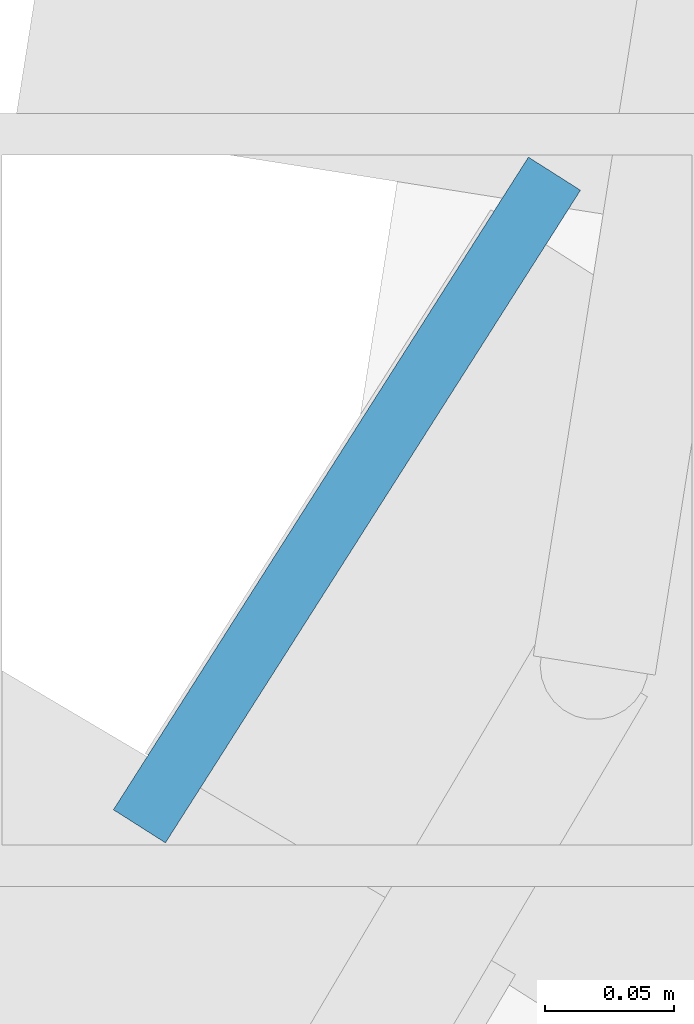
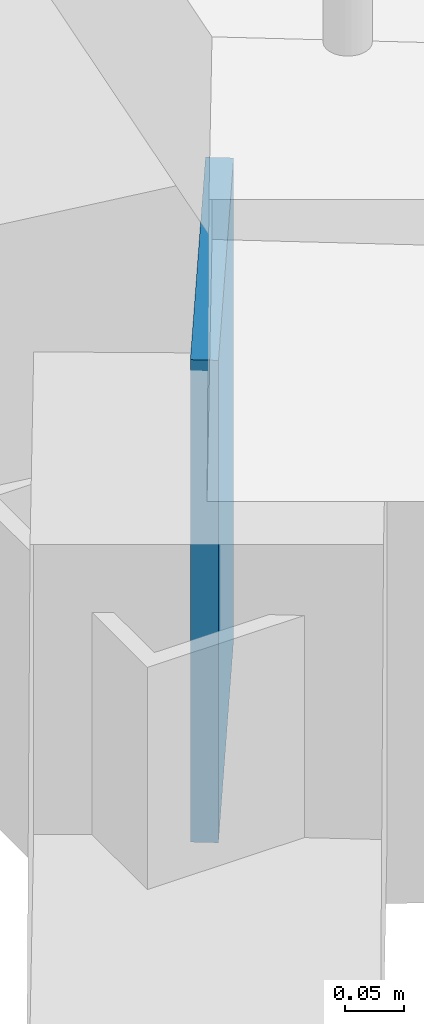
# One storey, part 46 of 77: 1 plate.
"""IFC4 building model written with IfcOpenShell, lengths in metres."""

from ifc_helpers import new_model, si_unit, direction, frame, origin, origin_2d, place, context, subcontext, project, spatial, rectangle, extrude, material, layer, layer_set, type_object, element, save


model = new_model("IFC4")

# Units and contexts
model_context = context("Model", 3, precision=1e-05, world=origin(), true_north=direction((0.0, 1.0)))
body_context = subcontext(model_context, "Body", "Model", "MODEL_VIEW")
ifc_project = project(units=[si_unit("LENGTHUNIT", "METRE"), si_unit("AREAUNIT", "SQUARE_METRE"), si_unit("VOLUMEUNIT", "CUBIC_METRE"), si_unit("PLANEANGLEUNIT", "RADIAN"), si_unit("MASSUNIT", "GRAM", prefix="KILO")], contexts=[model_context])

# Site, building, storey
site_placement = place(None, origin())
site = spatial("IfcSite", under=ifc_project, at=site_placement, CompositionType="ELEMENT")
building_placement = place(site_placement, origin())
building = spatial("IfcBuilding", under=site, at=building_placement, Name="Luwafu Chhajja Arena", CompositionType="ELEMENT")
storey_placement = place(building_placement, frame((0.0, 0.0, 14.699951171875)))
storey = spatial("IfcBuildingStorey", under=building, at=storey_placement, Name="L03", CompositionType="ELEMENT", Elevation=14.699951171875)

# Plate
ifc_material = material(Name="Steel S355", Category="steel")
ifc_layer = layer(ifc_material, 0.02392578125, Name="Steel S355")
ifc_layer_set = layer_set([ifc_layer], Name="Steel S355")
plate_type = type_object("IfcPlateType", Name="Raker Hollow End Closure Plate FN-2", PredefinedType="USERDEFINED", material=ifc_layer_set)
plate_placement = place(storey_placement, frame((128.298583984375, 31.399658203125, 0.10009765625), z_axis=(0.0, 0.0, 1.0), x_axis=(0.843828331333, -0.536613219405, 0.0)))
element("IfcPlate", 1, at=plate_placement, inside=storey, type_object=plate_type, Name="Upper Raker End Cap Plate FN-2 30", ObjectType="GUSSET PLATE", PredefinedType="USERDEFINED", context=body_context, shape_type="SweptSolid", body=[
    extrude(rectangle(XDim=0.02392578125, YDim=0.300048828125, at=origin_2d()), origin(), (0.0, 0.0, 1.0), 0.5),
])

save(model, "model.ifc")
